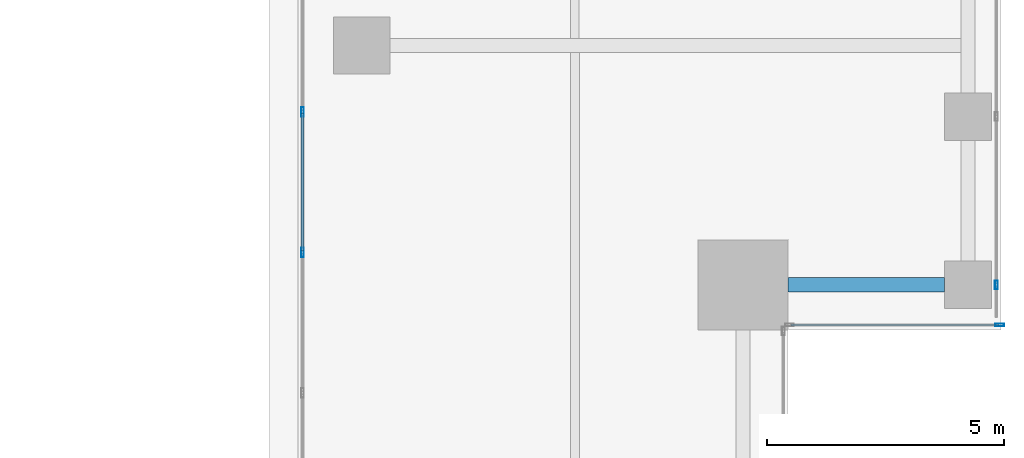
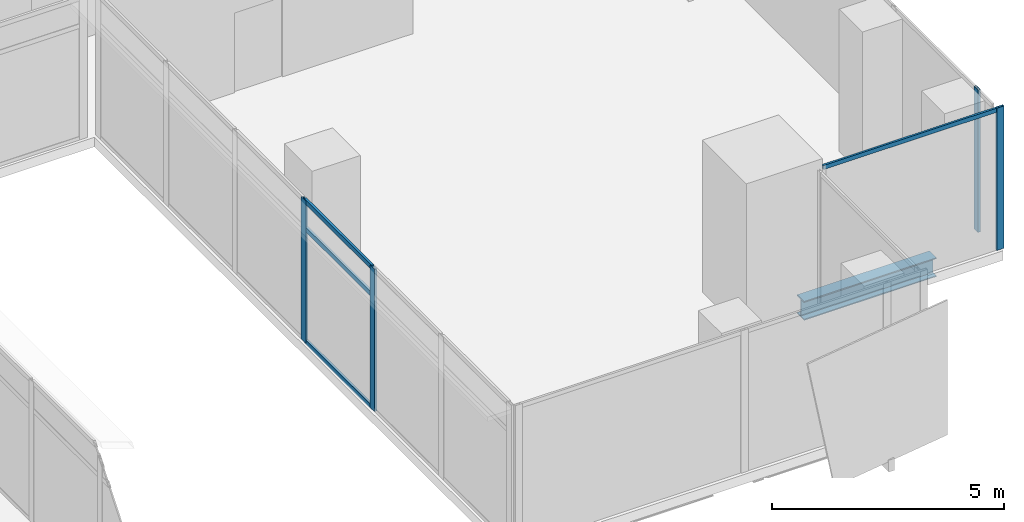
# One storey, part 11 of 40: 8 members, 1 beam, 3 elements without a shape of their own.
"""IFC4 building model written with IfcOpenShell, lengths in metres."""

from ifc_helpers import new_model, si_unit, direction, frame, origin, origin_2d, place, context, subcontext, project, spatial, hollow_rectangle, i_section, extrude, source, transform, mapped, material, material_profile, profile_set, type_object, element, aggregate, save


model = new_model("IFC4")

# Units and contexts
model_context = context("Model", 3, precision=1e-05, world=origin(), true_north=direction((0.0, 1.0)))
body_context = subcontext(model_context, "Body", "Model", "MODEL_VIEW")
ifc_project = project(units=[si_unit("LENGTHUNIT", "METRE"), si_unit("AREAUNIT", "SQUARE_METRE"), si_unit("VOLUMEUNIT", "CUBIC_METRE"), si_unit("PLANEANGLEUNIT", "RADIAN"), si_unit("MASSUNIT", "GRAM", prefix="KILO")], contexts=[model_context])

# Site, building, storey
site_placement = place(None, origin())
site = spatial("IfcSite", under=ifc_project, at=site_placement, CompositionType="ELEMENT")
building_placement = place(site_placement, origin())
building = spatial("IfcBuilding", under=site, at=building_placement, Name="Khomas Fold Tower", CompositionType="ELEMENT")
storey_placement = place(building_placement, frame((0.0, 0.0, 180.699951171875)))
storey = spatial("IfcBuildingStorey", under=building, at=storey_placement, Name="L39", CompositionType="ELEMENT", Elevation=180.699951171875)

# Beam
ifc_material_1 = material(Name="Steel S355", Category="steel")
ifc_material_profile_1 = material_profile(ifc_material_1, i_section(OverallWidth=0.300048828125, OverallDepth=0.5, WebThickness=0.014404296875, FlangeThickness=0.028076171875, at=origin_2d()), Name="HE 500 B")
ifc_profile_set_1 = profile_set([ifc_material_profile_1], Name="Steel S355")
beam_type = type_object("IfcBeamType", Name="HE 500 B spandrel SB3", PredefinedType="SPANDREL", material=ifc_profile_set_1)
shared_shape_1 = source(origin(), body_context, "Body", "SweptSolid", [
    extrude(i_section(OverallWidth=0.300048828125, OverallDepth=0.5, WebThickness=0.014404296875, FlangeThickness=0.028076171875, at=origin_2d()), origin(), (0.0, 0.0, 1.0), 3.300048828125),
])
beam_placement = place(storey_placement, frame((46.5, 8.449951171875, -0.5), z_axis=(1.0, 0.0, 0.0), x_axis=(0.0, 1.0, 0.0)))
element("IfcBeam", 1, at=beam_placement, inside=storey, type_object=beam_type, Name="SB3", PredefinedType="SPANDREL", context=body_context, shape_type="MappedRepresentation", body=[
    mapped(shared_shape_1, transform((0.0, 0.0, 0.0))),
])

# Curtain wall, member
ifc_material_2 = material(Name="Aluminium framed double glazing", Category="aluminium")
curtain_wall_type_1 = type_object("IfcCurtainWallType", Name="SK-Unitised clear-glass wall, office floors CW2", PredefinedType="NOTDEFINED", material=ifc_material_2)
curtain_wall_1_placement = place(storey_placement, origin())
curtain_wall_1 = element("IfcCurtainWall", 2, at=curtain_wall_1_placement, inside=storey, type_object=curtain_wall_type_1, Name="CW2 corner return L39 07", PredefinedType="NOTDEFINED")
ifc_material_3 = material(Name="Aluminium", Category="aluminium")
ifc_material_profile_2 = material_profile(ifc_material_3, hollow_rectangle(XDim=0.06005859375, YDim=0.179931640625, WallThickness=0.00390625, at=origin_2d()), Name="SK-Unitised clear-glass wall, office floors mullion CW2-M")
ifc_profile_set_2 = profile_set([ifc_material_profile_2], Name="Aluminium")
member_type_1 = type_object("IfcMemberType", Name="SK-Unitised clear-glass wall, office floors mullion CW2-M", PredefinedType="MULLION", material=ifc_profile_set_2)
shared_shape_2 = source(origin(), body_context, "Body", "SweptSolid", [
    extrude(hollow_rectangle(XDim=0.06005859375, YDim=0.179931640625, WallThickness=0.00390625, at=origin_2d()), origin(), (0.0, 0.0, 1.0), 3.75),
])
member_1_placement = place(storey_placement, frame((50.969970703125, 7.60009765625, 0.0), z_axis=(0.0, 0.0, 1.0), x_axis=(0.0, 1.0, 0.0)))
member_1 = element("IfcMember", 3, at=member_1_placement, type_object=member_type_1, Name="CW2 mullion 2", PredefinedType="MULLION", context=body_context, shape_type="MappedRepresentation", body=[
    mapped(shared_shape_2, transform((0.0, 0.0, 0.0))),
])

curtain_wall_2_placement = place(storey_placement, origin())
curtain_wall_2 = element("IfcCurtainWall", 4, at=curtain_wall_2_placement, inside=storey, type_object=curtain_wall_type_1, Name="CW2 run L39 08-0", PredefinedType="NOTDEFINED")
member_2_placement = place(storey_placement, frame((50.89990234375, 8.449951171875, 0.0), z_axis=(0.0, 0.0, 1.0), x_axis=(-1.0, 0.0, 0.0)))
member_2 = element("IfcMember", 5, at=member_2_placement, type_object=member_type_1, Name="CW2 mullion 2", PredefinedType="MULLION", context=body_context, shape_type="MappedRepresentation", body=[
    mapped(shared_shape_2, transform((0.0, 0.0, 0.0))),
])
aggregate(curtain_wall_2, [member_2])

# Member
ifc_material_4 = material(Name="Aluminium", Category="aluminium")
ifc_material_profile_3 = material_profile(ifc_material_4, hollow_rectangle(XDim=0.050048828125, YDim=0.110107421875, WallThickness=0.00390625, at=origin_2d()), Name="SK-Unitised clear-glass wall, office floors transom CW2-T")
ifc_profile_set_3 = profile_set([ifc_material_profile_3], Name="Aluminium")
member_type_2 = type_object("IfcMemberType", Name="SK-Unitised clear-glass wall, office floors transom CW2-T", PredefinedType="USERDEFINED", material=ifc_profile_set_3)
shared_shape_3 = source(origin(), body_context, "Body", "SweptSolid", [
    extrude(hollow_rectangle(XDim=0.050048828125, YDim=0.110107421875, WallThickness=0.00390625, at=origin_2d()), origin(), (0.0, 0.0, 1.0), 4.3798828125),
])
member_3_placement = place(storey_placement, frame((46.56005859375, 7.60009765625, 3.695068359375), z_axis=(1.0, 0.0, 0.0), x_axis=(0.0, 1.0, 0.0)))
member_3 = element("IfcMember", 6, at=member_3_placement, type_object=member_type_2, Name="CW2 transom 1", ObjectType="TRANSOM", PredefinedType="USERDEFINED", context=body_context, shape_type="MappedRepresentation", body=[
    mapped(shared_shape_3, transform((0.0, 0.0, 0.0))),
])

aggregate(curtain_wall_1, [member_1, member_3])

# Curtain wall, members
ifc_material_5 = material(Name="Aluminium framed double glazing", Category="aluminium")
curtain_wall_type_2 = type_object("IfcCurtainWallType", Name="Notch glazing GN-CW", PredefinedType="NOTDEFINED", material=ifc_material_5)
curtain_wall_3_placement = place(storey_placement, origin())
curtain_wall_3 = element("IfcCurtainWall", 7, at=curtain_wall_3_placement, inside=storey, type_object=curtain_wall_type_2, Name="Notch glazing run", PredefinedType="NOTDEFINED")
ifc_material_6 = material(Name="Aluminium", Category="aluminium")
ifc_material_profile_4 = material_profile(ifc_material_6, hollow_rectangle(XDim=0.06005859375, YDim=0.1201171875, WallThickness=0.00390625, at=origin_2d()), Name="Notch glazing transom GN-CW-T")
ifc_profile_set_4 = profile_set([ifc_material_profile_4], Name="Aluminium")
member_type_3 = type_object("IfcMemberType", Name="Notch glazing transom GN-CW-T", PredefinedType="USERDEFINED", material=ifc_profile_set_4)
shared_shape_4 = source(origin(), body_context, "Body", "SweptSolid", [
    extrude(hollow_rectangle(XDim=0.06005859375, YDim=0.1201171875, WallThickness=0.00390625, at=origin_2d()), origin(), (0.0, 0.0, 1.0), 2.90673828125),
])
member_4_placement = place(storey_placement, frame((36.25, 12.070068359375, 0.030029296875), z_axis=(0.0, -1.0, 0.0), x_axis=(1.0, 0.0, 0.0)))
member_4 = element("IfcMember", 8, at=member_4_placement, type_object=member_type_3, Name="GN-CW transom 4.1", ObjectType="TRANSOM", PredefinedType="USERDEFINED", context=body_context, shape_type="MappedRepresentation", body=[
    mapped(shared_shape_4, transform((0.0, 0.0, 0.0))),
])
member_5_placement = place(storey_placement, frame((36.25, 12.070068359375, 3.0), z_axis=(0.0, -1.0, 0.0), x_axis=(1.0, 0.0, 0.0)))
member_5 = element("IfcMember", 9, at=member_5_placement, type_object=member_type_3, Name="GN-CW transom 4.2", ObjectType="TRANSOM", PredefinedType="USERDEFINED", context=body_context, shape_type="MappedRepresentation", body=[
    mapped(shared_shape_4, transform((0.0, 0.0, 0.0))),
])
member_6_placement = place(storey_placement, frame((36.25, 12.070068359375, 3.719970703125), z_axis=(0.0, -1.0, 0.0), x_axis=(1.0, 0.0, 0.0)))
member_6 = element("IfcMember", 10, at=member_6_placement, type_object=member_type_3, Name="GN-CW transom 4.3", ObjectType="TRANSOM", PredefinedType="USERDEFINED", context=body_context, shape_type="MappedRepresentation", body=[
    mapped(shared_shape_4, transform((0.0, 0.0, 0.0))),
])
ifc_material_7 = material(Name="Aluminium", Category="aluminium")
ifc_material_profile_5 = material_profile(ifc_material_7, hollow_rectangle(XDim=0.06005859375, YDim=0.199951171875, WallThickness=0.00390625, at=origin_2d()), Name="Notch glazing mullion GN-CW-M")
ifc_profile_set_5 = profile_set([ifc_material_profile_5], Name="Aluminium")
member_type_4 = type_object("IfcMemberType", Name="Notch glazing mullion GN-CW-M", PredefinedType="MULLION", material=ifc_profile_set_5)
shared_shape_5 = source(origin(), body_context, "Body", "SweptSolid", [
    extrude(hollow_rectangle(XDim=0.06005859375, YDim=0.199951171875, WallThickness=0.00390625, at=origin_2d()), origin(), (0.0, 0.0, 1.0), 3.75),
])
member_7_placement = place(storey_placement, frame((36.25, 12.10009765625, 0.0), z_axis=(0.0, 0.0, 1.0), x_axis=(1.0, 0.0, 0.0)))
member_7 = element("IfcMember", 11, at=member_7_placement, type_object=member_type_4, Name="GN-CW mullion 4", PredefinedType="MULLION", context=body_context, shape_type="MappedRepresentation", body=[
    mapped(shared_shape_5, transform((0.0, 0.0, 0.0))),
])
member_8_placement = place(storey_placement, frame((36.25, 9.13330078125, 0.0), z_axis=(0.0, 0.0, 1.0), x_axis=(1.0, 0.0, 0.0)))
member_8 = element("IfcMember", 12, at=member_8_placement, type_object=member_type_4, Name="GN-CW mullion 5", PredefinedType="MULLION", context=body_context, shape_type="MappedRepresentation", body=[
    mapped(shared_shape_5, transform((0.0, 0.0, 0.0))),
])
aggregate(curtain_wall_3, [member_7, member_8, member_4, member_5, member_6])

save(model, "model.ifc")
